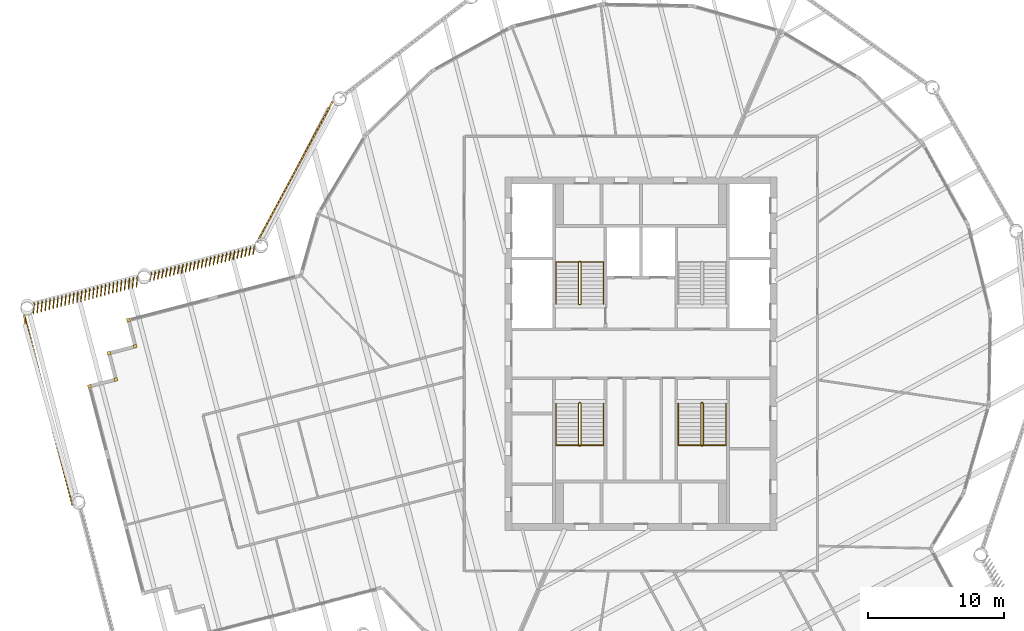
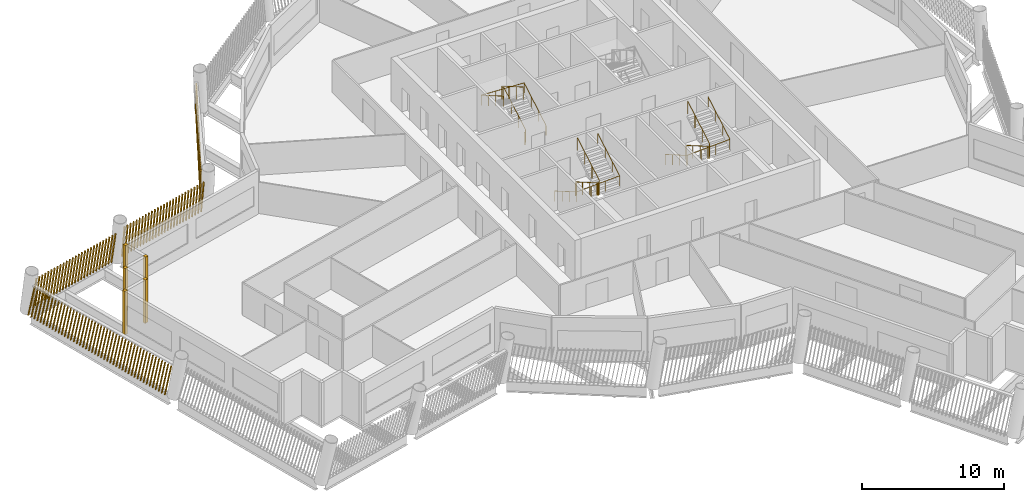
# One storey, part 11 of 14: 9 shading devices, 6 railings.
"""IFC4 building model written with IfcOpenShell, lengths in metres."""

from ifc_helpers import new_model, si_unit, direction, frame, frame_2d, origin, origin_2d, place, context, subcontext, project, spatial, rectangle, circle, composite_profile, extrude, material, type_object, element, save


model = new_model("IFC4")

# Units and contexts
model_context = context("Model", 3, precision=1e-05, world=origin(), true_north=direction((0.0, 1.0)))
body_context = subcontext(model_context, "Body", "Model", "MODEL_VIEW")
ifc_project = project(units=[si_unit("LENGTHUNIT", "METRE"), si_unit("AREAUNIT", "SQUARE_METRE"), si_unit("VOLUMEUNIT", "CUBIC_METRE"), si_unit("PLANEANGLEUNIT", "RADIAN"), si_unit("MASSUNIT", "GRAM", prefix="KILO")], contexts=[model_context])

# Site, building, storey
site_placement = place(None, origin())
site = spatial("IfcSite", under=ifc_project, at=site_placement, CompositionType="ELEMENT")
building_placement = place(site_placement, origin())
building = spatial("IfcBuilding", under=site, at=building_placement, Name="Tarsis Ring Headquarters", CompositionType="ELEMENT")
storey_placement = place(building_placement, frame((0.0, 0.0, 343.10009765625)))
storey = spatial("IfcBuildingStorey", under=building, at=storey_placement, Name="L81", CompositionType="ELEMENT", Elevation=343.10009765625)

# Railings
ifc_material_1 = material(Name="Steel S355", Category="steel")
railing_type_1 = type_object("IfcRailingType", Name="Core stair guard 1100", PredefinedType="GUARDRAIL", material=ifc_material_1)
railing_1_placement = place(storey_placement, frame((-4.5400390625, 3.610107421875, 0.0)))
element("IfcRailing", 1, at=railing_1_placement, inside=storey, type_object=railing_type_1, Name="L81 ST1 stair guard 1", PredefinedType="GUARDRAIL", context=body_context, shape_type="SweptSolid", body=[
    extrude(circle(Radius=0.02392578125, at=origin_2d()), frame((0.0, 0.0, 1.076171875), z_axis=(1.0, 0.0, 0.0), x_axis=(0.0, 1.0, 0.0)), (0.0, 0.0, 1.0), 0.080078125),
    extrude(circle(Radius=0.02392578125, at=origin_2d()), frame((0.080078125, 0.0, 1.076171875), z_axis=(0.282693820306, 0.281314826061, 0.917031173188), x_axis=(-0.705375805398, 0.708833529934, 0.0)), (0.0, 0.0, 1.0), 0.177001953125),
    extrude(circle(Radius=0.02392578125, at=origin_2d()), frame((0.130126953125, 0.0498046875, 1.23828125), z_axis=(0.0, 0.864890721111, 0.501960198159), x_axis=(-1.0, 0.0, 0.0)), (0.0, 0.0, 1.0), 3.561279296875),
    extrude(circle(Radius=0.02392578125, at=origin_2d()), frame((0.130126953125, 3.1298828125, 3.02587890625), z_axis=(-0.707106781187, 0.707106781187, 0.0), x_axis=(-0.707106781187, -0.707106781187, 0.0)), (0.0, 0.0, 1.0), 0.07080078125),
    extrude(circle(Radius=0.02392578125, at=origin_2d()), frame((0.080078125, 3.179931640625, 3.02587890625), z_axis=(-1.0, 0.0, 0.0), x_axis=(0.0, -1.0, 0.0)), (0.0, 0.0, 1.0), 0.080078125),
    extrude(circle(Radius=0.02392578125, at=origin_2d()), frame((0.0, 3.179931640625, 3.02587890625), z_axis=(-0.282583949758, -0.282583949758, 0.916674763849), x_axis=(0.707106781187, -0.707106781187, 0.0)), (0.0, 0.0, 1.0), 0.177001953125),
    extrude(circle(Radius=0.02392578125, at=origin_2d()), frame((-0.050048828125, 3.1298828125, 3.1884765625), z_axis=(0.0, -0.864890721111, 0.501960198159), x_axis=(1.0, 0.0, 0.0)), (0.0, 0.0, 1.0), 3.561279296875),
    extrude(circle(Radius=0.02099609375, at=origin_2d()), origin(), (0.0, 0.0, 1.0), 1.052001953125),
    extrude(circle(Radius=0.02099609375, at=origin_2d()), frame((0.080078125, 0.0, 0.0)), (0.0, 0.0, 1.0), 1.052001953125),
    extrude(circle(Radius=0.02099609375, at=origin_2d()), frame((0.130126953125, 0.0498046875, 0.162353515625)), (0.0, 0.0, 1.0), 1.052001953125),
    extrude(circle(Radius=0.02099609375, at=origin_2d()), frame((0.130126953125, 1.076416015625, 0.75830078125)), (0.0, 0.0, 1.0), 1.052001953125),
    extrude(circle(Radius=0.02099609375, at=origin_2d()), frame((0.130126953125, 2.103271484375, 1.35400390625)), (0.0, 0.0, 1.0), 1.052001953125),
    extrude(circle(Radius=0.02099609375, at=origin_2d()), frame((0.130126953125, 3.1298828125, 1.949951171875)), (0.0, 0.0, 1.0), 1.052001953125),
    extrude(circle(Radius=0.02099609375, at=origin_2d()), frame((0.080078125, 3.179931640625, 1.949951171875)), (0.0, 0.0, 1.0), 1.052001953125),
    extrude(circle(Radius=0.02099609375, at=origin_2d()), frame((0.0, 3.179931640625, 1.949951171875)), (0.0, 0.0, 1.0), 1.052001953125),
    extrude(circle(Radius=0.02099609375, at=origin_2d()), frame((-0.050048828125, 3.1298828125, 2.1123046875)), (0.0, 0.0, 1.0), 1.052001953125),
    extrude(circle(Radius=0.02099609375, at=origin_2d()), frame((-0.050048828125, 2.103271484375, 2.708251953125)), (0.0, 0.0, 1.0), 1.052001953125),
    extrude(circle(Radius=0.02099609375, at=origin_2d()), frame((-0.050048828125, 1.076416015625, 3.303955078125)), (0.0, 0.0, 1.0), 1.052001953125),
    extrude(circle(Radius=0.02099609375, at=origin_2d()), frame((-0.050048828125, 0.0498046875, 3.89990234375)), (0.0, 0.0, 1.0), 1.052001953125),
])
railing_2_placement = place(storey_placement, frame((-4.4599609375, -3.610107421875, 0.0)))
element("IfcRailing", 2, at=railing_2_placement, inside=storey, type_object=railing_type_1, Name="L81 ST3 stair guard 1", PredefinedType="GUARDRAIL", context=body_context, shape_type="SweptSolid", body=[
    extrude(circle(Radius=0.02392578125, at=origin_2d()), frame((0.0, 0.0, 1.076171875), z_axis=(-1.0, 0.0, 0.0), x_axis=(0.0, -1.0, 0.0)), (0.0, 0.0, 1.0), 0.080078125),
    extrude(circle(Radius=0.02392578125, at=origin_2d()), frame((-0.080078125, 0.0, 1.076171875), z_axis=(-0.282693820306, -0.281314826061, 0.917031173188), x_axis=(0.705375805398, -0.708833529934, 0.0)), (0.0, 0.0, 1.0), 0.177001953125),
    extrude(circle(Radius=0.02392578125, at=origin_2d()), frame((-0.130126953125, -0.0498046875, 1.23828125), z_axis=(0.0, -0.864890721111, 0.501960198159), x_axis=(1.0, 0.0, 0.0)), (0.0, 0.0, 1.0), 3.561279296875),
    extrude(circle(Radius=0.02392578125, at=origin_2d()), frame((-0.130126953125, -3.1298828125, 3.02587890625), z_axis=(0.707106781187, -0.707106781187, 0.0), x_axis=(0.707106781187, 0.707106781187, 0.0)), (0.0, 0.0, 1.0), 0.07080078125),
    extrude(circle(Radius=0.02392578125, at=origin_2d()), frame((-0.080078125, -3.179931640625, 3.02587890625), z_axis=(1.0, 0.0, 0.0), x_axis=(0.0, 1.0, 0.0)), (0.0, 0.0, 1.0), 0.080078125),
    extrude(circle(Radius=0.02392578125, at=origin_2d()), frame((0.0, -3.179931640625, 3.02587890625), z_axis=(0.282583949758, 0.282583949758, 0.916674763849), x_axis=(-0.707106781187, 0.707106781187, 0.0)), (0.0, 0.0, 1.0), 0.177001953125),
    extrude(circle(Radius=0.02392578125, at=origin_2d()), frame((0.050048828125, -3.1298828125, 3.1884765625), z_axis=(0.0, 0.864890721111, 0.501960198159), x_axis=(-1.0, 0.0, 0.0)), (0.0, 0.0, 1.0), 3.561279296875),
    extrude(circle(Radius=0.02099609375, at=origin_2d()), origin(), (0.0, 0.0, 1.0), 1.052001953125),
    extrude(circle(Radius=0.02099609375, at=origin_2d()), frame((-0.080078125, 0.0, 0.0)), (0.0, 0.0, 1.0), 1.052001953125),
    extrude(circle(Radius=0.02099609375, at=origin_2d()), frame((-0.130126953125, -0.0498046875, 0.162353515625)), (0.0, 0.0, 1.0), 1.052001953125),
    extrude(circle(Radius=0.02099609375, at=origin_2d()), frame((-0.130126953125, -1.076416015625, 0.75830078125)), (0.0, 0.0, 1.0), 1.052001953125),
    extrude(circle(Radius=0.02099609375, at=origin_2d()), frame((-0.130126953125, -2.103271484375, 1.35400390625)), (0.0, 0.0, 1.0), 1.052001953125),
    extrude(circle(Radius=0.02099609375, at=origin_2d()), frame((-0.130126953125, -3.1298828125, 1.949951171875)), (0.0, 0.0, 1.0), 1.052001953125),
    extrude(circle(Radius=0.02099609375, at=origin_2d()), frame((-0.080078125, -3.179931640625, 1.949951171875)), (0.0, 0.0, 1.0), 1.052001953125),
    extrude(circle(Radius=0.02099609375, at=origin_2d()), frame((0.0, -3.179931640625, 1.949951171875)), (0.0, 0.0, 1.0), 1.052001953125),
    extrude(circle(Radius=0.02099609375, at=origin_2d()), frame((0.050048828125, -3.1298828125, 2.1123046875)), (0.0, 0.0, 1.0), 1.052001953125),
    extrude(circle(Radius=0.02099609375, at=origin_2d()), frame((0.050048828125, -2.103271484375, 2.708251953125)), (0.0, 0.0, 1.0), 1.052001953125),
    extrude(circle(Radius=0.02099609375, at=origin_2d()), frame((0.050048828125, -1.076416015625, 3.303955078125)), (0.0, 0.0, 1.0), 1.052001953125),
    extrude(circle(Radius=0.02099609375, at=origin_2d()), frame((0.050048828125, -0.0498046875, 3.89990234375)), (0.0, 0.0, 1.0), 1.052001953125),
])
railing_3_placement = place(storey_placement, frame((4.5400390625, -3.610107421875, 0.0)))
element("IfcRailing", 3, at=railing_3_placement, inside=storey, type_object=railing_type_1, Name="L81 ST4 stair guard 1", PredefinedType="GUARDRAIL", context=body_context, shape_type="SweptSolid", body=[
    extrude(circle(Radius=0.02392578125, at=origin_2d()), frame((0.0, 0.0, 1.076171875), z_axis=(-1.0, 0.0, 0.0), x_axis=(0.0, -1.0, 0.0)), (0.0, 0.0, 1.0), 0.080078125),
    extrude(circle(Radius=0.02392578125, at=origin_2d()), frame((-0.080078125, 0.0, 1.076171875), z_axis=(-0.282693820306, -0.281314826061, 0.917031173188), x_axis=(0.705375805398, -0.708833529934, 0.0)), (0.0, 0.0, 1.0), 0.177001953125),
    extrude(circle(Radius=0.02392578125, at=origin_2d()), frame((-0.130126953125, -0.0498046875, 1.23828125), z_axis=(0.0, -0.864890721111, 0.501960198159), x_axis=(1.0, 0.0, 0.0)), (0.0, 0.0, 1.0), 3.561279296875),
    extrude(circle(Radius=0.02392578125, at=origin_2d()), frame((-0.130126953125, -3.1298828125, 3.02587890625), z_axis=(0.707106781187, -0.707106781187, 0.0), x_axis=(0.707106781187, 0.707106781187, 0.0)), (0.0, 0.0, 1.0), 0.07080078125),
    extrude(circle(Radius=0.02392578125, at=origin_2d()), frame((-0.080078125, -3.179931640625, 3.02587890625), z_axis=(1.0, 0.0, 0.0), x_axis=(0.0, 1.0, 0.0)), (0.0, 0.0, 1.0), 0.080078125),
    extrude(circle(Radius=0.02392578125, at=origin_2d()), frame((0.0, -3.179931640625, 3.02587890625), z_axis=(0.282583949758, 0.282583949758, 0.916674763849), x_axis=(-0.707106781187, 0.707106781187, 0.0)), (0.0, 0.0, 1.0), 0.177001953125),
    extrude(circle(Radius=0.02392578125, at=origin_2d()), frame((0.050048828125, -3.1298828125, 3.1884765625), z_axis=(0.0, 0.864890721111, 0.501960198159), x_axis=(-1.0, 0.0, 0.0)), (0.0, 0.0, 1.0), 3.561279296875),
    extrude(circle(Radius=0.02099609375, at=origin_2d()), origin(), (0.0, 0.0, 1.0), 1.052001953125),
    extrude(circle(Radius=0.02099609375, at=origin_2d()), frame((-0.080078125, 0.0, 0.0)), (0.0, 0.0, 1.0), 1.052001953125),
    extrude(circle(Radius=0.02099609375, at=origin_2d()), frame((-0.130126953125, -0.0498046875, 0.162353515625)), (0.0, 0.0, 1.0), 1.052001953125),
    extrude(circle(Radius=0.02099609375, at=origin_2d()), frame((-0.130126953125, -1.076416015625, 0.75830078125)), (0.0, 0.0, 1.0), 1.052001953125),
    extrude(circle(Radius=0.02099609375, at=origin_2d()), frame((-0.130126953125, -2.103271484375, 1.35400390625)), (0.0, 0.0, 1.0), 1.052001953125),
    extrude(circle(Radius=0.02099609375, at=origin_2d()), frame((-0.130126953125, -3.1298828125, 1.949951171875)), (0.0, 0.0, 1.0), 1.052001953125),
    extrude(circle(Radius=0.02099609375, at=origin_2d()), frame((-0.080078125, -3.179931640625, 1.949951171875)), (0.0, 0.0, 1.0), 1.052001953125),
    extrude(circle(Radius=0.02099609375, at=origin_2d()), frame((0.0, -3.179931640625, 1.949951171875)), (0.0, 0.0, 1.0), 1.052001953125),
    extrude(circle(Radius=0.02099609375, at=origin_2d()), frame((0.050048828125, -3.1298828125, 2.1123046875)), (0.0, 0.0, 1.0), 1.052001953125),
    extrude(circle(Radius=0.02099609375, at=origin_2d()), frame((0.050048828125, -2.103271484375, 2.708251953125)), (0.0, 0.0, 1.0), 1.052001953125),
    extrude(circle(Radius=0.02099609375, at=origin_2d()), frame((0.050048828125, -1.076416015625, 3.303955078125)), (0.0, 0.0, 1.0), 1.052001953125),
    extrude(circle(Radius=0.02099609375, at=origin_2d()), frame((0.050048828125, -0.0498046875, 3.89990234375)), (0.0, 0.0, 1.0), 1.052001953125),
])
railing_type_2 = type_object("IfcRailingType", Name="Core stair handrail 900", PredefinedType="HANDRAIL", material=ifc_material_1)
railing_4_placement = place(storey_placement, frame((-2.75, 3.659912109375, 0.162353515625)))
element("IfcRailing", 4, at=railing_4_placement, inside=storey, type_object=railing_type_2, Name="L81 ST1 stair handrail 1", PredefinedType="HANDRAIL", context=body_context, shape_type="SweptSolid", body=[
    extrude(circle(Radius=0.02392578125, at=origin_2d()), frame((0.0, 0.0, 0.8759765625), z_axis=(0.0, 0.864890721111, 0.501960198159), x_axis=(-1.0, 0.0, 0.0)), (0.0, 0.0, 1.0), 3.561279296875),
    extrude(circle(Radius=0.02392578125, at=origin_2d()), frame((0.0, 3.080078125, 2.66357421875), z_axis=(-0.998925869279, 0.0, 0.04633689335), x_axis=(0.0, -1.0, 0.0)), (0.0, 0.0, 1.0), 3.503662109375),
    extrude(circle(Radius=0.02392578125, at=origin_2d()), frame((-3.5, 3.080078125, 2.82568359375), z_axis=(0.0, -0.864890721111, 0.501960198159), x_axis=(1.0, 0.0, 0.0)), (0.0, 0.0, 1.0), 3.561279296875),
    extrude(circle(Radius=0.02099609375, at=origin_2d()), origin(), (0.0, 0.0, 1.0), 0.851806640625),
    extrude(circle(Radius=0.02099609375, at=origin_2d()), frame((0.0, 1.026611328125, 0.595947265625)), (0.0, 0.0, 1.0), 0.851806640625),
    extrude(circle(Radius=0.02099609375, at=origin_2d()), frame((0.0, 2.053466796875, 1.191650390625)), (0.0, 0.0, 1.0), 0.851806640625),
    extrude(circle(Radius=0.02099609375, at=origin_2d()), frame((0.0, 3.080078125, 1.78759765625)), (0.0, 0.0, 1.0), 0.851806640625),
    extrude(circle(Radius=0.02099609375, at=origin_2d()), frame((-1.166748046875, 3.080078125, 1.841796875)), (0.0, 0.0, 1.0), 0.851806640625),
    extrude(circle(Radius=0.02099609375, at=origin_2d()), frame((-2.333251953125, 3.080078125, 1.895751953125)), (0.0, 0.0, 1.0), 0.851806640625),
    extrude(circle(Radius=0.02099609375, at=origin_2d()), frame((-3.5, 3.080078125, 1.949951171875)), (0.0, 0.0, 1.0), 0.851806640625),
    extrude(circle(Radius=0.02099609375, at=origin_2d()), frame((-3.5, 2.053466796875, 2.5458984375)), (0.0, 0.0, 1.0), 0.851806640625),
    extrude(circle(Radius=0.02099609375, at=origin_2d()), frame((-3.5, 1.026611328125, 3.1416015625)), (0.0, 0.0, 1.0), 0.851806640625),
    extrude(circle(Radius=0.02099609375, at=origin_2d()), frame((-3.5, 0.0, 3.737548828125)), (0.0, 0.0, 1.0), 0.851806640625),
])
railing_5_placement = place(storey_placement, frame((-6.25, -3.659912109375, 0.162353515625)))
element("IfcRailing", 5, at=railing_5_placement, inside=storey, type_object=railing_type_2, Name="L81 ST3 stair handrail 1", PredefinedType="HANDRAIL", context=body_context, shape_type="SweptSolid", body=[
    extrude(circle(Radius=0.02392578125, at=origin_2d()), frame((0.0, 0.0, 0.8759765625), z_axis=(0.0, -0.864890721111, 0.501960198159), x_axis=(1.0, 0.0, 0.0)), (0.0, 0.0, 1.0), 3.561279296875),
    extrude(circle(Radius=0.02392578125, at=origin_2d()), frame((0.0, -3.080078125, 2.66357421875), z_axis=(0.998925869279, 0.0, 0.04633689335), x_axis=(0.0, 1.0, 0.0)), (0.0, 0.0, 1.0), 3.503662109375),
    extrude(circle(Radius=0.02392578125, at=origin_2d()), frame((3.5, -3.080078125, 2.82568359375), z_axis=(0.0, 0.864890721111, 0.501960198159), x_axis=(-1.0, 0.0, 0.0)), (0.0, 0.0, 1.0), 3.561279296875),
    extrude(circle(Radius=0.02099609375, at=origin_2d()), origin(), (0.0, 0.0, 1.0), 0.851806640625),
    extrude(circle(Radius=0.02099609375, at=origin_2d()), frame((0.0, -1.026611328125, 0.595947265625)), (0.0, 0.0, 1.0), 0.851806640625),
    extrude(circle(Radius=0.02099609375, at=origin_2d()), frame((0.0, -2.053466796875, 1.191650390625)), (0.0, 0.0, 1.0), 0.851806640625),
    extrude(circle(Radius=0.02099609375, at=origin_2d()), frame((0.0, -3.080078125, 1.78759765625)), (0.0, 0.0, 1.0), 0.851806640625),
    extrude(circle(Radius=0.02099609375, at=origin_2d()), frame((1.166748046875, -3.080078125, 1.841796875)), (0.0, 0.0, 1.0), 0.851806640625),
    extrude(circle(Radius=0.02099609375, at=origin_2d()), frame((2.333251953125, -3.080078125, 1.895751953125)), (0.0, 0.0, 1.0), 0.851806640625),
    extrude(circle(Radius=0.02099609375, at=origin_2d()), frame((3.5, -3.080078125, 1.949951171875)), (0.0, 0.0, 1.0), 0.851806640625),
    extrude(circle(Radius=0.02099609375, at=origin_2d()), frame((3.5, -2.053466796875, 2.5458984375)), (0.0, 0.0, 1.0), 0.851806640625),
    extrude(circle(Radius=0.02099609375, at=origin_2d()), frame((3.5, -1.026611328125, 3.1416015625)), (0.0, 0.0, 1.0), 0.851806640625),
    extrude(circle(Radius=0.02099609375, at=origin_2d()), frame((3.5, 0.0, 3.737548828125)), (0.0, 0.0, 1.0), 0.851806640625),
])
railing_6_placement = place(storey_placement, frame((2.75, -3.659912109375, 0.162353515625)))
element("IfcRailing", 6, at=railing_6_placement, inside=storey, type_object=railing_type_2, Name="L81 ST4 stair handrail 1", PredefinedType="HANDRAIL", context=body_context, shape_type="SweptSolid", body=[
    extrude(circle(Radius=0.02392578125, at=origin_2d()), frame((0.0, 0.0, 0.8759765625), z_axis=(0.0, -0.864890721111, 0.501960198159), x_axis=(1.0, 0.0, 0.0)), (0.0, 0.0, 1.0), 3.561279296875),
    extrude(circle(Radius=0.02392578125, at=origin_2d()), frame((0.0, -3.080078125, 2.66357421875), z_axis=(0.998925869279, 0.0, 0.04633689335), x_axis=(0.0, 1.0, 0.0)), (0.0, 0.0, 1.0), 3.503662109375),
    extrude(circle(Radius=0.02392578125, at=origin_2d()), frame((3.5, -3.080078125, 2.82568359375), z_axis=(0.0, 0.864890721111, 0.501960198159), x_axis=(-1.0, 0.0, 0.0)), (0.0, 0.0, 1.0), 3.561279296875),
    extrude(circle(Radius=0.02099609375, at=origin_2d()), origin(), (0.0, 0.0, 1.0), 0.851806640625),
    extrude(circle(Radius=0.02099609375, at=origin_2d()), frame((0.0, -1.026611328125, 0.595947265625)), (0.0, 0.0, 1.0), 0.851806640625),
    extrude(circle(Radius=0.02099609375, at=origin_2d()), frame((0.0, -2.053466796875, 1.191650390625)), (0.0, 0.0, 1.0), 0.851806640625),
    extrude(circle(Radius=0.02099609375, at=origin_2d()), frame((0.0, -3.080078125, 1.78759765625)), (0.0, 0.0, 1.0), 0.851806640625),
    extrude(circle(Radius=0.02099609375, at=origin_2d()), frame((1.166748046875, -3.080078125, 1.841796875)), (0.0, 0.0, 1.0), 0.851806640625),
    extrude(circle(Radius=0.02099609375, at=origin_2d()), frame((2.333251953125, -3.080078125, 1.895751953125)), (0.0, 0.0, 1.0), 0.851806640625),
    extrude(circle(Radius=0.02099609375, at=origin_2d()), frame((3.5, -3.080078125, 1.949951171875)), (0.0, 0.0, 1.0), 0.851806640625),
    extrude(circle(Radius=0.02099609375, at=origin_2d()), frame((3.5, -2.053466796875, 2.5458984375)), (0.0, 0.0, 1.0), 0.851806640625),
    extrude(circle(Radius=0.02099609375, at=origin_2d()), frame((3.5, -1.026611328125, 3.1416015625)), (0.0, 0.0, 1.0), 0.851806640625),
    extrude(circle(Radius=0.02099609375, at=origin_2d()), frame((3.5, 0.0, 3.737548828125)), (0.0, 0.0, 1.0), 0.851806640625),
])

# Shading devices
ifc_material_2 = material(Name="Terracotta baguette", Category="masonry")
shading_device_type_1 = type_object("IfcShadingDeviceType", Name="Terracotta baguette screen", PredefinedType="USERDEFINED", material=ifc_material_2)
shading_device_1_placement = place(storey_placement, frame((-22.684326171875, 18.568603515625, 0.0), z_axis=(0.0, 0.0, 1.0), x_axis=(-0.473185024417, -0.880954964731, 0.0)))
element("IfcShadingDevice", 7, at=shading_device_1_placement, inside=storey, type_object=shading_device_type_1, Name="Baguette screen L81-14", ObjectType="Terracotta baguette screen", PredefinedType="USERDEFINED", context=body_context, shape_type="SweptSolid", body=[
    extrude(composite_profile([rectangle(XDim=0.06005859375, YDim=0.1201171875, at=frame_2d((0.030029296875, 0.0))), rectangle(XDim=0.06005859375, YDim=0.1201171875, at=frame_2d((0.33251953125, 0.0))), rectangle(XDim=0.06005859375, YDim=0.1201171875, at=frame_2d((0.634765625, 0.0))), rectangle(XDim=0.06005859375, YDim=0.1201171875, at=frame_2d((0.937255859375, 0.0))), rectangle(XDim=0.06005859375, YDim=0.1201171875, at=frame_2d((1.239501953125, 0.0))), rectangle(XDim=0.06005859375, YDim=0.1201171875, at=frame_2d((1.5419921875, 0.0))), rectangle(XDim=0.06005859375, YDim=0.1201171875, at=frame_2d((1.844482421875, 0.0))), rectangle(XDim=0.06005859375, YDim=0.1201171875, at=frame_2d((2.146728515625, 0.0))), rectangle(XDim=0.06005859375, YDim=0.1201171875, at=frame_2d((2.44921875, 0.0))), rectangle(XDim=0.06005859375, YDim=0.1201171875, at=frame_2d((2.751708984375, 0.0))), rectangle(XDim=0.06005859375, YDim=0.1201171875, at=frame_2d((3.053955078125, 0.0))), rectangle(XDim=0.06005859375, YDim=0.1201171875, at=frame_2d((3.3564453125, 0.0))), rectangle(XDim=0.06005859375, YDim=0.1201171875, at=frame_2d((3.65869140625, 0.0))), rectangle(XDim=0.06005859375, YDim=0.1201171875, at=frame_2d((3.961181640625, 0.0))), rectangle(XDim=0.06005859375, YDim=0.1201171875, at=frame_2d((4.263671875, 0.0))), rectangle(XDim=0.06005859375, YDim=0.1201171875, at=frame_2d((4.56591796875, 0.0))), rectangle(XDim=0.06005859375, YDim=0.1201171875, at=frame_2d((4.868408203125, 0.0))), rectangle(XDim=0.06005859375, YDim=0.1201171875, at=frame_2d((5.1708984375, 0.0))), rectangle(XDim=0.06005859375, YDim=0.1201171875, at=frame_2d((5.47314453125, 0.0))), rectangle(XDim=0.06005859375, YDim=0.1201171875, at=frame_2d((5.775634765625, 0.0))), rectangle(XDim=0.06005859375, YDim=0.1201171875, at=frame_2d((6.077880859375, 0.0))), rectangle(XDim=0.06005859375, YDim=0.1201171875, at=frame_2d((6.38037109375, 0.0))), rectangle(XDim=0.06005859375, YDim=0.1201171875, at=frame_2d((6.682861328125, 0.0))), rectangle(XDim=0.06005859375, YDim=0.1201171875, at=frame_2d((6.985107421875, 0.0))), rectangle(XDim=0.06005859375, YDim=0.1201171875, at=frame_2d((7.28759765625, 0.0))), rectangle(XDim=0.06005859375, YDim=0.1201171875, at=frame_2d((7.590087890625, 0.0))), rectangle(XDim=0.06005859375, YDim=0.1201171875, at=frame_2d((7.892333984375, 0.0))), rectangle(XDim=0.06005859375, YDim=0.1201171875, at=frame_2d((8.19482421875, 0.0))), rectangle(XDim=0.06005859375, YDim=0.1201171875, at=frame_2d((8.4970703125, 0.0))), rectangle(XDim=0.06005859375, YDim=0.1201171875, at=frame_2d((8.799560546875, 0.0))), rectangle(XDim=0.06005859375, YDim=0.1201171875, at=frame_2d((9.10205078125, 0.0))), rectangle(XDim=0.06005859375, YDim=0.1201171875, at=frame_2d((9.404296875, 0.0))), rectangle(XDim=0.06005859375, YDim=0.1201171875, at=frame_2d((9.706787109375, 0.0))), rectangle(XDim=0.06005859375, YDim=0.1201171875, at=frame_2d((10.00927734375, 0.0))), rectangle(XDim=0.06005859375, YDim=0.1201171875, at=frame_2d((10.3115234375, 0.0))), rectangle(XDim=0.06005859375, YDim=0.1201171875, at=frame_2d((10.614013671875, 0.0))), rectangle(XDim=0.06005859375, YDim=0.1201171875, at=frame_2d((10.916259765625, 0.0))), rectangle(XDim=0.06005859375, YDim=0.1201171875, at=frame_2d((11.21875, 0.0)))]), origin(), (0.173292319048, 0.00157333543, 0.984869177492), 3.013427734375),
])
shading_device_2_placement = place(storey_placement, frame((-28.3974609375, 7.915283203125, 0.0), z_axis=(0.0, 0.0, 1.0), x_axis=(-0.967899403714, -0.251398028857, 0.0)))
element("IfcShadingDevice", 8, at=shading_device_2_placement, inside=storey, type_object=shading_device_type_1, Name="Baguette screen L81-15", ObjectType="Terracotta baguette screen", PredefinedType="USERDEFINED", context=body_context, shape_type="SweptSolid", body=[
    extrude(composite_profile([rectangle(XDim=0.06005859375, YDim=0.1201171875, at=frame_2d((0.030029296875, 0.0))), rectangle(XDim=0.06005859375, YDim=0.1201171875, at=frame_2d((0.33154296875, 0.0))), rectangle(XDim=0.06005859375, YDim=0.1201171875, at=frame_2d((0.63330078125, 0.0))), rectangle(XDim=0.06005859375, YDim=0.1201171875, at=frame_2d((0.934814453125, 0.0))), rectangle(XDim=0.06005859375, YDim=0.1201171875, at=frame_2d((1.236572265625, 0.0))), rectangle(XDim=0.06005859375, YDim=0.1201171875, at=frame_2d((1.5380859375, 0.0))), rectangle(XDim=0.06005859375, YDim=0.1201171875, at=frame_2d((1.83984375, 0.0))), rectangle(XDim=0.06005859375, YDim=0.1201171875, at=frame_2d((2.141357421875, 0.0))), rectangle(XDim=0.06005859375, YDim=0.1201171875, at=frame_2d((2.443115234375, 0.0))), rectangle(XDim=0.06005859375, YDim=0.1201171875, at=frame_2d((2.74462890625, 0.0))), rectangle(XDim=0.06005859375, YDim=0.1201171875, at=frame_2d((3.04638671875, 0.0))), rectangle(XDim=0.06005859375, YDim=0.1201171875, at=frame_2d((3.347900390625, 0.0))), rectangle(XDim=0.06005859375, YDim=0.1201171875, at=frame_2d((3.649658203125, 0.0))), rectangle(XDim=0.06005859375, YDim=0.1201171875, at=frame_2d((3.951171875, 0.0))), rectangle(XDim=0.06005859375, YDim=0.1201171875, at=frame_2d((4.252685546875, 0.0))), rectangle(XDim=0.06005859375, YDim=0.1201171875, at=frame_2d((4.554443359375, 0.0))), rectangle(XDim=0.06005859375, YDim=0.1201171875, at=frame_2d((4.85595703125, 0.0))), rectangle(XDim=0.06005859375, YDim=0.1201171875, at=frame_2d((5.15771484375, 0.0))), rectangle(XDim=0.06005859375, YDim=0.1201171875, at=frame_2d((5.459228515625, 0.0))), rectangle(XDim=0.06005859375, YDim=0.1201171875, at=frame_2d((5.760986328125, 0.0))), rectangle(XDim=0.06005859375, YDim=0.1201171875, at=frame_2d((6.0625, 0.0))), rectangle(XDim=0.06005859375, YDim=0.1201171875, at=frame_2d((6.3642578125, 0.0))), rectangle(XDim=0.06005859375, YDim=0.1201171875, at=frame_2d((6.665771484375, 0.0))), rectangle(XDim=0.06005859375, YDim=0.1201171875, at=frame_2d((6.967529296875, 0.0))), rectangle(XDim=0.06005859375, YDim=0.1201171875, at=frame_2d((7.26904296875, 0.0))), rectangle(XDim=0.06005859375, YDim=0.1201171875, at=frame_2d((7.57080078125, 0.0))), rectangle(XDim=0.06005859375, YDim=0.1201171875, at=frame_2d((7.872314453125, 0.0)))]), origin(), (0.087128819181, 0.17734792328, 0.980283776759), 3.02734375),
])
shading_device_3_placement = place(storey_placement, frame((-37.013671875, 5.67724609375, 0.0), z_axis=(0.0, 0.0, 1.0), x_axis=(-0.967899403714, -0.251398028857, 0.0)))
element("IfcShadingDevice", 9, at=shading_device_3_placement, inside=storey, type_object=shading_device_type_1, Name="Baguette screen L81-16", ObjectType="Terracotta baguette screen", PredefinedType="USERDEFINED", context=body_context, shape_type="SweptSolid", body=[
    extrude(composite_profile([rectangle(XDim=0.06005859375, YDim=0.1201171875, at=frame_2d((0.030029296875, 0.0))), rectangle(XDim=0.06005859375, YDim=0.1201171875, at=frame_2d((0.33154296875, 0.0))), rectangle(XDim=0.06005859375, YDim=0.1201171875, at=frame_2d((0.63330078125, 0.0))), rectangle(XDim=0.06005859375, YDim=0.1201171875, at=frame_2d((0.934814453125, 0.0))), rectangle(XDim=0.06005859375, YDim=0.1201171875, at=frame_2d((1.236572265625, 0.0))), rectangle(XDim=0.06005859375, YDim=0.1201171875, at=frame_2d((1.5380859375, 0.0))), rectangle(XDim=0.06005859375, YDim=0.1201171875, at=frame_2d((1.83984375, 0.0))), rectangle(XDim=0.06005859375, YDim=0.1201171875, at=frame_2d((2.141357421875, 0.0))), rectangle(XDim=0.06005859375, YDim=0.1201171875, at=frame_2d((2.443115234375, 0.0))), rectangle(XDim=0.06005859375, YDim=0.1201171875, at=frame_2d((2.74462890625, 0.0))), rectangle(XDim=0.06005859375, YDim=0.1201171875, at=frame_2d((3.04638671875, 0.0))), rectangle(XDim=0.06005859375, YDim=0.1201171875, at=frame_2d((3.347900390625, 0.0))), rectangle(XDim=0.06005859375, YDim=0.1201171875, at=frame_2d((3.649658203125, 0.0))), rectangle(XDim=0.06005859375, YDim=0.1201171875, at=frame_2d((3.951171875, 0.0))), rectangle(XDim=0.06005859375, YDim=0.1201171875, at=frame_2d((4.252685546875, 0.0))), rectangle(XDim=0.06005859375, YDim=0.1201171875, at=frame_2d((4.554443359375, 0.0))), rectangle(XDim=0.06005859375, YDim=0.1201171875, at=frame_2d((4.85595703125, 0.0))), rectangle(XDim=0.06005859375, YDim=0.1201171875, at=frame_2d((5.15771484375, 0.0))), rectangle(XDim=0.06005859375, YDim=0.1201171875, at=frame_2d((5.459228515625, 0.0))), rectangle(XDim=0.06005859375, YDim=0.1201171875, at=frame_2d((5.760986328125, 0.0))), rectangle(XDim=0.06005859375, YDim=0.1201171875, at=frame_2d((6.0625, 0.0))), rectangle(XDim=0.06005859375, YDim=0.1201171875, at=frame_2d((6.3642578125, 0.0))), rectangle(XDim=0.06005859375, YDim=0.1201171875, at=frame_2d((6.665771484375, 0.0))), rectangle(XDim=0.06005859375, YDim=0.1201171875, at=frame_2d((6.967529296875, 0.0))), rectangle(XDim=0.06005859375, YDim=0.1201171875, at=frame_2d((7.26904296875, 0.0))), rectangle(XDim=0.06005859375, YDim=0.1201171875, at=frame_2d((7.57080078125, 0.0))), rectangle(XDim=0.06005859375, YDim=0.1201171875, at=frame_2d((7.872314453125, 0.0)))]), origin(), (0.085719434236, 0.228257348567, 0.969819963405), 3.06005859375),
])
shading_device_4_placement = place(storey_placement, frame((-45.38330078125, 2.98681640625, 0.0), z_axis=(0.0, 0.0, 1.0), x_axis=(0.251397636402, -0.967889745949, 0.0)))
element("IfcShadingDevice", 10, at=shading_device_4_placement, inside=storey, type_object=shading_device_type_1, Name="Baguette screen L81-17", ObjectType="Terracotta baguette screen", PredefinedType="USERDEFINED", context=body_context, shape_type="SweptSolid", body=[
    extrude(composite_profile([rectangle(XDim=0.06005859375, YDim=0.1201171875, at=frame_2d((0.030029296875, 0.0))), rectangle(XDim=0.06005859375, YDim=0.1201171875, at=frame_2d((0.33544921875, 0.0))), rectangle(XDim=0.06005859375, YDim=0.1201171875, at=frame_2d((0.640625, 0.0))), rectangle(XDim=0.06005859375, YDim=0.1201171875, at=frame_2d((0.946044921875, 0.0))), rectangle(XDim=0.06005859375, YDim=0.1201171875, at=frame_2d((1.25146484375, 0.0))), rectangle(XDim=0.06005859375, YDim=0.1201171875, at=frame_2d((1.556640625, 0.0))), rectangle(XDim=0.06005859375, YDim=0.1201171875, at=frame_2d((1.862060546875, 0.0))), rectangle(XDim=0.06005859375, YDim=0.1201171875, at=frame_2d((2.16748046875, 0.0))), rectangle(XDim=0.06005859375, YDim=0.1201171875, at=frame_2d((2.47265625, 0.0))), rectangle(XDim=0.06005859375, YDim=0.1201171875, at=frame_2d((2.778076171875, 0.0))), rectangle(XDim=0.06005859375, YDim=0.1201171875, at=frame_2d((3.08349609375, 0.0))), rectangle(XDim=0.06005859375, YDim=0.1201171875, at=frame_2d((3.388671875, 0.0))), rectangle(XDim=0.06005859375, YDim=0.1201171875, at=frame_2d((3.694091796875, 0.0))), rectangle(XDim=0.06005859375, YDim=0.1201171875, at=frame_2d((3.99951171875, 0.0))), rectangle(XDim=0.06005859375, YDim=0.1201171875, at=frame_2d((4.3046875, 0.0))), rectangle(XDim=0.06005859375, YDim=0.1201171875, at=frame_2d((4.610107421875, 0.0))), rectangle(XDim=0.06005859375, YDim=0.1201171875, at=frame_2d((4.91552734375, 0.0))), rectangle(XDim=0.06005859375, YDim=0.1201171875, at=frame_2d((5.220703125, 0.0))), rectangle(XDim=0.06005859375, YDim=0.1201171875, at=frame_2d((5.526123046875, 0.0))), rectangle(XDim=0.06005859375, YDim=0.1201171875, at=frame_2d((5.83154296875, 0.0))), rectangle(XDim=0.06005859375, YDim=0.1201171875, at=frame_2d((6.13671875, 0.0))), rectangle(XDim=0.06005859375, YDim=0.1201171875, at=frame_2d((6.442138671875, 0.0))), rectangle(XDim=0.06005859375, YDim=0.1201171875, at=frame_2d((6.74755859375, 0.0))), rectangle(XDim=0.06005859375, YDim=0.1201171875, at=frame_2d((7.052734375, 0.0))), rectangle(XDim=0.06005859375, YDim=0.1201171875, at=frame_2d((7.358154296875, 0.0))), rectangle(XDim=0.06005859375, YDim=0.1201171875, at=frame_2d((7.66357421875, 0.0))), rectangle(XDim=0.06005859375, YDim=0.1201171875, at=frame_2d((7.96875, 0.0))), rectangle(XDim=0.06005859375, YDim=0.1201171875, at=frame_2d((8.274169921875, 0.0))), rectangle(XDim=0.06005859375, YDim=0.1201171875, at=frame_2d((8.57958984375, 0.0))), rectangle(XDim=0.06005859375, YDim=0.1201171875, at=frame_2d((8.884765625, 0.0))), rectangle(XDim=0.06005859375, YDim=0.1201171875, at=frame_2d((9.190185546875, 0.0))), rectangle(XDim=0.06005859375, YDim=0.1201171875, at=frame_2d((9.49560546875, 0.0))), rectangle(XDim=0.06005859375, YDim=0.1201171875, at=frame_2d((9.80078125, 0.0))), rectangle(XDim=0.06005859375, YDim=0.1201171875, at=frame_2d((10.106201171875, 0.0))), rectangle(XDim=0.06005859375, YDim=0.1201171875, at=frame_2d((10.41162109375, 0.0))), rectangle(XDim=0.06005859375, YDim=0.1201171875, at=frame_2d((10.716796875, 0.0))), rectangle(XDim=0.06005859375, YDim=0.1201171875, at=frame_2d((11.022216796875, 0.0))), rectangle(XDim=0.06005859375, YDim=0.1201171875, at=frame_2d((11.32763671875, 0.0))), rectangle(XDim=0.06005859375, YDim=0.1201171875, at=frame_2d((11.6328125, 0.0))), rectangle(XDim=0.06005859375, YDim=0.1201171875, at=frame_2d((11.938232421875, 0.0))), rectangle(XDim=0.06005859375, YDim=0.1201171875, at=frame_2d((12.24365234375, 0.0))), rectangle(XDim=0.06005859375, YDim=0.1201171875, at=frame_2d((12.548828125, 0.0))), rectangle(XDim=0.06005859375, YDim=0.1201171875, at=frame_2d((12.854248046875, 0.0))), rectangle(XDim=0.06005859375, YDim=0.1201171875, at=frame_2d((13.15966796875, 0.0))), rectangle(XDim=0.06005859375, YDim=0.1201171875, at=frame_2d((13.46484375, 0.0))), rectangle(XDim=0.06005859375, YDim=0.1201171875, at=frame_2d((13.770263671875, 0.0)))]), origin(), (0.255454307124, -0.041401500684, 0.965934269354), 3.072509765625),
])
shading_device_type_2 = type_object("IfcShadingDeviceType", Name="Terracotta corner baguette 250x250", PredefinedType="USERDEFINED", material=ifc_material_2)
for number, where, z_axis, x_axis, name in (
    (11, (-37.708251953125, 2.474853515625, 0.0), (0.0, 0.0, 1.0), (-0.967884912253, -0.251393708421, 0.0), "Corner baguette L81-32"),
    (12, (-37.205322265625, 0.5390625, 0.0), (0.0, 0.0, 1.0), (0.251393370566, -0.967885000006, 0.0), "Corner baguette L81-33"),
    (13, (-39.14111328125, 0.036376953125, 0.0), (0.0, 0.0, 1.0), (-0.967884969292, -0.251393488815, 0.0), "Corner baguette L81-34"),
    (14, (-38.638427734375, -1.8994140625, 0.0), (0.0, 0.0, 1.0), (0.251393961813, -0.967884846438, 0.0), "Corner baguette L81-35"),
    (15, (-40.57421875, -2.40234375, 0.0), (0.0, 0.0, 1.0), (-0.967884969292, -0.251393488815, 0.0), "Corner baguette L81-36"),
):
    element("IfcShadingDevice", number, at=place(storey_placement, frame(where, z_axis=z_axis, x_axis=x_axis)), inside=storey, type_object=shading_device_type_2, Name=name, ObjectType="Terracotta corner baguette", PredefinedType="USERDEFINED", context=body_context, shape_type="SweptSolid", body=[
        extrude(rectangle(XDim=0.25, YDim=0.25, at=origin_2d()), origin(), (0.0, 0.0, 1.0), 3.739990234375),
    ])

save(model, "model.ifc")
